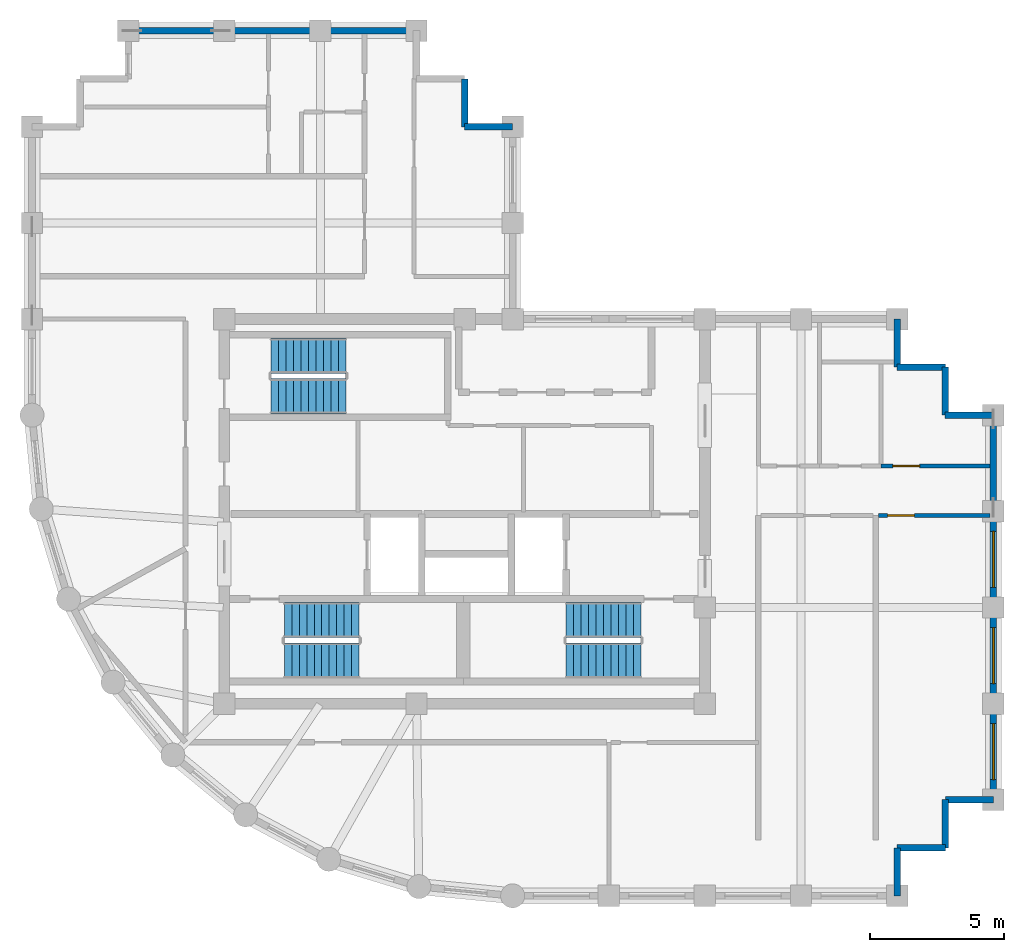
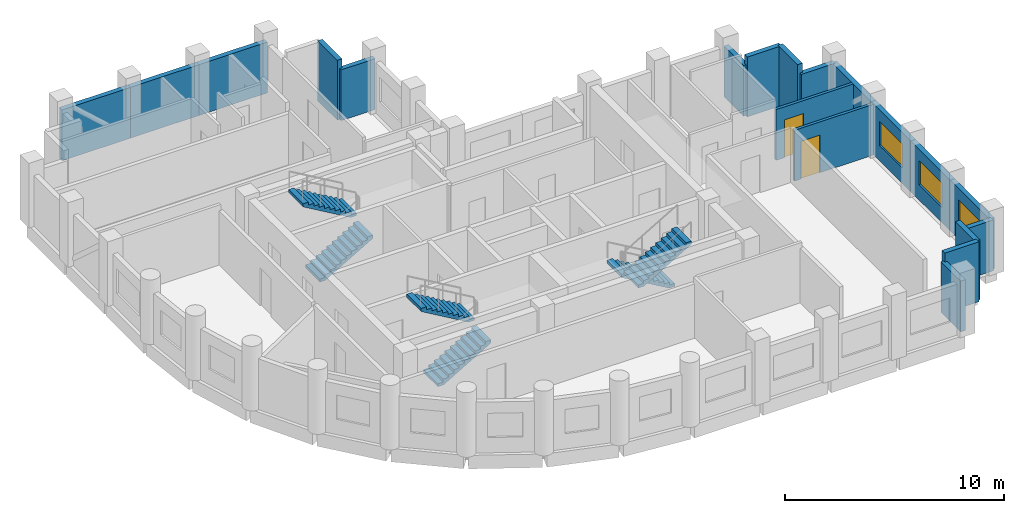
# One storey, part 5 of 6: 19 walls, 6 stair flights, 3 windows, 2 doors, 5 openings, 3 elements without a shape of their own.
"""IFC4 building model written with IfcOpenShell, lengths in metres."""

from ifc_helpers import new_model, si_unit, direction, frame, frame_2d, origin, place, context, subcontext, project, spatial, polyline, rectangle, outline, extrude, material, layer, layer_set, type_object, element, fill, aggregate, save


model = new_model("IFC4")

# Units and contexts
model_context = context("Model", 3, precision=1e-05, world=origin(), true_north=direction((0.0, 1.0)))
body_context = subcontext(model_context, "Body", "Model", "MODEL_VIEW")
ifc_project = project(units=[si_unit("LENGTHUNIT", "METRE"), si_unit("AREAUNIT", "SQUARE_METRE"), si_unit("VOLUMEUNIT", "CUBIC_METRE"), si_unit("PLANEANGLEUNIT", "RADIAN"), si_unit("MASSUNIT", "GRAM", prefix="KILO")], contexts=[model_context])

# Site, building, storey
site_placement = place(None, origin())
site = spatial("IfcSite", under=ifc_project, at=site_placement, CompositionType="ELEMENT")
building_placement = place(site_placement, origin())
building = spatial("IfcBuilding", under=site, at=building_placement, Name="Solnavia Interchange Tower", CompositionType="ELEMENT")
storey_placement = place(building_placement, frame((0.0, 0.0, 277.39990234375)))
storey = spatial("IfcBuildingStorey", under=building, at=storey_placement, Name="L70", CompositionType="ELEMENT", Elevation=277.39990234375)

# Walls
ifc_material_1 = material(Name="Concrete C40/50", Category="concrete")
ifc_layer_1 = layer(ifc_material_1, 0.25)
ifc_layer_set_1 = layer_set([ifc_layer_1], Name="Concrete C40/50")
wall_type_1 = type_object("IfcWallType", Name="Wall-ExtSpandrel-250", PredefinedType="STANDARD", material=ifc_layer_set_1)
wall_1_placement = place(storey_placement, frame((39.60009765625, 5.39990234375, 0.0), z_axis=(0.0, 0.0, 1.0), x_axis=(0.0, -1.0, 0.0)))
element("IfcWall", 1, at=wall_1_placement, inside=storey, type_object=wall_type_1, Name="EXW-L70-05 Exterior precast spandrel wall", PredefinedType="STANDARD", context=body_context, shape_type="SweptSolid", body=[
    extrude(rectangle(XDim=1.7998046875, YDim=0.25, at=frame_2d((0.89990234375, 0.0))), origin(), (0.0, 0.0, 1.0), 2.830078125),
])
wall_2_placement = place(storey_placement, frame((41.39990234375, 5.39990234375, 0.0), z_axis=(0.0, 0.0, 1.0), x_axis=(-1.0, 0.0, 0.0)))
element("IfcWall", 2, at=wall_2_placement, inside=storey, type_object=wall_type_1, Name="EXW-L70-06 Exterior precast spandrel wall", PredefinedType="STANDARD", context=body_context, shape_type="SweptSolid", body=[
    extrude(rectangle(XDim=1.7998046875, YDim=0.25, at=frame_2d((0.89990234375, 0.0))), origin(), (0.0, 0.0, 1.0), 3.335205078125),
])
wall_3_placement = place(storey_placement, frame((41.39990234375, 7.199951171875, 0.0), z_axis=(0.0, 0.0, 1.0), x_axis=(0.0, -1.0, 0.0)))
element("IfcWall", 3, at=wall_3_placement, inside=storey, type_object=wall_type_1, Name="EXW-L70-07 Exterior precast spandrel wall", PredefinedType="STANDARD", context=body_context, shape_type="SweptSolid", body=[
    extrude(rectangle(XDim=1.800048828125, YDim=0.25, at=frame_2d((0.89990234375, 0.0))), origin(), (0.0, 0.0, 1.0), 3.335205078125),
])
wall_4_placement = place(storey_placement, frame((43.199951171875, 7.199951171875, 0.0), z_axis=(0.0, 0.0, 1.0), x_axis=(-1.0, 0.0, 0.0)))
element("IfcWall", 4, at=wall_4_placement, inside=storey, type_object=wall_type_1, Name="EXW-L70-08 Exterior precast spandrel wall", PredefinedType="STANDARD", context=body_context, shape_type="SweptSolid", body=[
    extrude(rectangle(XDim=1.800048828125, YDim=0.25, at=frame_2d((0.89990234375, 0.0))), origin(), (0.0, 0.0, 1.0), 2.830078125),
])

# Wall, opening, window
wall_5_placement = place(storey_placement, frame((43.199951171875, 10.800048828125, 0.0), z_axis=(0.0, 0.0, 1.0), x_axis=(0.0, -1.0, 0.0)))
wall_5 = element("IfcWall", 5, at=wall_5_placement, inside=storey, type_object=wall_type_1, Name="EXW-L70-09 Exterior precast spandrel wall", PredefinedType="STANDARD", context=body_context, shape_type="SweptSolid", body=[
    extrude(rectangle(XDim=3.60009765625, YDim=0.25, at=frame_2d((1.800048828125, 0.0))), origin(), (0.0, 0.0, 1.0), 2.830078125),
])
opening_1_placement = place(wall_5_placement, frame((0.75, 0.0, 0.85009765625)))
opening_1 = element("IfcOpeningElement", 6, at=opening_1_placement, cuts=wall_5, Name="Opening WIN-01", PredefinedType="OPENING", context=body_context, shape_type="SweptSolid", body=[
    extrude(rectangle(XDim=2.10009765625, YDim=1.35009765625, at=frame_2d((1.050048828125, 0.675048828125))), frame((0.0, 0.135009765625, 0.0), z_axis=(0.0, -1.0, 0.0), x_axis=(1.0, 0.0, 0.0)), (0.0, 0.0, 1.0), 0.27001953125),
])
ifc_material_2 = material(Name="Thermal-Break Aluminium & Low-E Glass", Category="aluminium")
window_type = type_object("IfcWindowType", Name="Window-Ribbon-2100x1350", PartitioningType="SINGLE_PANEL", PredefinedType="WINDOW", material=ifc_material_2)
window_1_placement = place(opening_1_placement, origin())
window_1 = element("IfcWindow", 7, at=window_1_placement, inside=storey, type_object=window_type, Name="WIN-L70-09 Facade ribbon window", OverallHeight=1.35009765625, OverallWidth=2.10009765625, PartitioningType="SINGLE_PANEL", PredefinedType="WINDOW", context=body_context, shape_type="SweptSolid", body=[
    extrude(rectangle(XDim=2.10009765625, YDim=1.35009765625, at=frame_2d((1.050048828125, 0.675048828125))), frame((0.0, 0.030029296875, 0.0), z_axis=(0.0, -1.0, 0.0), x_axis=(1.0, 0.0, 0.0)), (0.0, 0.0, 1.0), 0.06005859375),
])
fill(opening_1, window_1)

wall_6_placement = place(storey_placement, frame((43.199951171875, 14.39990234375, 0.0), z_axis=(0.0, 0.0, 1.0), x_axis=(0.0, -1.0, 0.0)))
wall_6 = element("IfcWall", 8, at=wall_6_placement, inside=storey, type_object=wall_type_1, Name="EXW-L70-10 Exterior precast spandrel wall", PredefinedType="STANDARD", context=body_context, shape_type="SweptSolid", body=[
    extrude(rectangle(XDim=3.599853515625, YDim=0.25, at=frame_2d((1.7998046875, 0.0))), origin(), (0.0, 0.0, 1.0), 2.830078125),
])
opening_2_placement = place(wall_6_placement, frame((0.75, 0.0, 0.85009765625)))
opening_2 = element("IfcOpeningElement", 9, at=opening_2_placement, cuts=wall_6, Name="Opening WIN-01", PredefinedType="OPENING", context=body_context, shape_type="SweptSolid", body=[
    extrude(rectangle(XDim=2.10009765625, YDim=1.35009765625, at=frame_2d((1.050048828125, 0.675048828125))), frame((0.0, 0.135009765625, 0.0), z_axis=(0.0, -1.0, 0.0), x_axis=(1.0, 0.0, 0.0)), (0.0, 0.0, 1.0), 0.27001953125),
])
window_2_placement = place(opening_2_placement, origin())
window_2 = element("IfcWindow", 10, at=window_2_placement, inside=storey, type_object=window_type, Name="WIN-L70-10 Facade ribbon window", OverallHeight=1.35009765625, OverallWidth=2.10009765625, PartitioningType="SINGLE_PANEL", PredefinedType="WINDOW", context=body_context, shape_type="SweptSolid", body=[
    extrude(rectangle(XDim=2.10009765625, YDim=1.35009765625, at=frame_2d((1.050048828125, 0.675048828125))), frame((0.0, 0.030029296875, 0.0), z_axis=(0.0, -1.0, 0.0), x_axis=(1.0, 0.0, 0.0)), (0.0, 0.0, 1.0), 0.06005859375),
])
fill(opening_2, window_2)

wall_7_placement = place(storey_placement, frame((43.199951171875, 18.0, 0.0), z_axis=(0.0, 0.0, 1.0), x_axis=(0.0, -1.0, 0.0)))
wall_7 = element("IfcWall", 11, at=wall_7_placement, inside=storey, type_object=wall_type_1, Name="EXW-L70-11 Exterior precast spandrel wall", PredefinedType="STANDARD", context=body_context, shape_type="SweptSolid", body=[
    extrude(rectangle(XDim=3.60009765625, YDim=0.25, at=frame_2d((1.800048828125, 0.0))), origin(), (0.0, 0.0, 1.0), 2.830078125),
])
opening_3_placement = place(wall_7_placement, frame((0.75, 0.0, 0.85009765625)))
opening_3 = element("IfcOpeningElement", 12, at=opening_3_placement, cuts=wall_7, Name="Opening WIN-01", PredefinedType="OPENING", context=body_context, shape_type="SweptSolid", body=[
    extrude(rectangle(XDim=2.10009765625, YDim=1.35009765625, at=frame_2d((1.050048828125, 0.675048828125))), frame((0.0, 0.135009765625, 0.0), z_axis=(0.0, -1.0, 0.0), x_axis=(1.0, 0.0, 0.0)), (0.0, 0.0, 1.0), 0.27001953125),
])
window_3_placement = place(opening_3_placement, origin())
window_3 = element("IfcWindow", 13, at=window_3_placement, inside=storey, type_object=window_type, Name="WIN-L70-11 Facade ribbon window", OverallHeight=1.35009765625, OverallWidth=2.10009765625, PartitioningType="SINGLE_PANEL", PredefinedType="WINDOW", context=body_context, shape_type="SweptSolid", body=[
    extrude(rectangle(XDim=2.10009765625, YDim=1.35009765625, at=frame_2d((1.050048828125, 0.675048828125))), frame((0.0, 0.030029296875, 0.0), z_axis=(0.0, -1.0, 0.0), x_axis=(1.0, 0.0, 0.0)), (0.0, 0.0, 1.0), 0.06005859375),
])
fill(opening_3, window_3)

# Walls
wall_8_placement = place(storey_placement, frame((43.199951171875, 21.60009765625, 0.0), z_axis=(0.0, 0.0, 1.0), x_axis=(0.0, -1.0, 0.0)))
element("IfcWall", 14, at=wall_8_placement, inside=storey, type_object=wall_type_1, Name="EXW-L70-12 Exterior precast spandrel wall", PredefinedType="STANDARD", context=body_context, shape_type="SweptSolid", body=[
    extrude(rectangle(XDim=3.60009765625, YDim=0.25, at=frame_2d((1.800048828125, 0.0))), origin(), (0.0, 0.0, 1.0), 2.830078125),
])
wall_9_placement = place(storey_placement, frame((41.39990234375, 21.60009765625, 0.0), z_axis=(0.0, 0.0, 1.0), x_axis=(1.0, 0.0, 0.0)))
element("IfcWall", 15, at=wall_9_placement, inside=storey, type_object=wall_type_1, Name="EXW-L70-13 Exterior precast spandrel wall", PredefinedType="STANDARD", context=body_context, shape_type="SweptSolid", body=[
    extrude(rectangle(XDim=1.800048828125, YDim=0.25, at=frame_2d((0.89990234375, 0.0))), origin(), (0.0, 0.0, 1.0), 2.830078125),
])
for number, where, z_axis, x_axis, name in (
    (16, (41.39990234375, 23.39990234375, 0.0), (0.0, 0.0, 1.0), (0.0, -1.0, 0.0), "EXW-L70-14 Exterior precast spandrel wall"),
    (17, (39.60009765625, 23.39990234375, 0.0), (0.0, 0.0, 1.0), (1.0, 0.0, 0.0), "EXW-L70-15 Exterior precast spandrel wall"),
):
    element("IfcWall", number, at=place(storey_placement, frame(where, z_axis=z_axis, x_axis=x_axis)), inside=storey, type_object=wall_type_1, Name=name, PredefinedType="STANDARD", context=body_context, shape_type="SweptSolid", body=[
        extrude(rectangle(XDim=1.7998046875, YDim=0.25, at=frame_2d((0.89990234375, 0.0))), origin(), (0.0, 0.0, 1.0), 3.335205078125),
    ])
for number, where, z_axis, x_axis, name in (
    (18, (39.60009765625, 25.199951171875, 0.0), (0.0, 0.0, 1.0), (0.0, -1.0, 0.0), "EXW-L70-16 Exterior precast spandrel wall"),
    (19, (23.39990234375, 32.39990234375, 0.0), (0.0, 0.0, 1.0), (1.0, 0.0, 0.0), "EXW-L70-23 Exterior precast spandrel wall"),
):
    element("IfcWall", number, at=place(storey_placement, frame(where, z_axis=z_axis, x_axis=x_axis)), inside=storey, type_object=wall_type_1, Name=name, PredefinedType="STANDARD", context=body_context, shape_type="SweptSolid", body=[
        extrude(rectangle(XDim=1.800048828125, YDim=0.25, at=frame_2d((0.89990234375, 0.0))), origin(), (0.0, 0.0, 1.0), 2.830078125),
    ])
wall_10_placement = place(storey_placement, frame((23.39990234375, 32.39990234375, 0.0), z_axis=(0.0, 0.0, 1.0), x_axis=(0.0, 1.0, 0.0)))
element("IfcWall", 20, at=wall_10_placement, inside=storey, type_object=wall_type_1, Name="EXW-L70-24 Exterior precast spandrel wall", PredefinedType="STANDARD", context=body_context, shape_type="SweptSolid", body=[
    extrude(rectangle(XDim=1.800048828125, YDim=0.25, at=frame_2d((0.89990234375, 0.0))), origin(), (0.0, 0.0, 1.0), 3.335205078125),
])
for number, where, z_axis, x_axis, name in (
    (21, (18.0, 36.0, 0.0), (0.0, 0.0, 1.0), (1.0, 0.0, 0.0), "EXW-L70-27 Exterior precast spandrel wall"),
    (22, (14.39990234375, 36.0, 0.0), (0.0, 0.0, 1.0), (1.0, 0.0, 0.0), "EXW-L70-28 Exterior precast spandrel wall"),
):
    element("IfcWall", number, at=place(storey_placement, frame(where, z_axis=z_axis, x_axis=x_axis)), inside=storey, type_object=wall_type_1, Name=name, PredefinedType="STANDARD", context=body_context, shape_type="SweptSolid", body=[
        extrude(rectangle(XDim=3.60009765625, YDim=0.25, at=frame_2d((1.800048828125, 0.0))), origin(), (0.0, 0.0, 1.0), 2.830078125),
    ])
wall_11_placement = place(storey_placement, frame((10.800048828125, 36.0, 0.0), z_axis=(0.0, 0.0, 1.0), x_axis=(1.0, 0.0, 0.0)))
element("IfcWall", 23, at=wall_11_placement, inside=storey, type_object=wall_type_1, Name="EXW-L70-29 Exterior precast spandrel wall", PredefinedType="STANDARD", context=body_context, shape_type="SweptSolid", body=[
    extrude(rectangle(XDim=3.599853515625, YDim=0.25, at=frame_2d((1.7998046875, 0.0))), origin(), (0.0, 0.0, 1.0), 2.830078125),
])

# Wall, opening, door
ifc_material_3 = material(Name="Gypsum Plasterboard & Steel Stud", Category="steel")
ifc_layer_2 = layer(ifc_material_3, 0.14990234375)
ifc_layer_set_2 = layer_set([ifc_layer_2], Name="Gypsum Plasterboard & Steel Stud")
wall_type_2 = type_object("IfcWallType", Name="Wall-Partition-150", PredefinedType="PARTITIONING", material=ifc_layer_set_2)
wall_12_placement = place(storey_placement, frame((38.904052734375, 17.85009765625, 0.0), z_axis=(0.0, 0.0, 1.0), x_axis=(1.0, 0.0, 0.0)))
wall_12 = element("IfcWall", 24, at=wall_12_placement, inside=storey, type_object=wall_type_2, Name="PTW-L70-18 Interior partition wall", PredefinedType="PARTITIONING", context=body_context, shape_type="SweptSolid", body=[
    extrude(rectangle(XDim=4.1669921875, YDim=0.14990234375, at=frame_2d((2.08349609375, 0.0))), origin(), (0.0, 0.0, 1.0), 2.830078125),
])
opening_4_placement = place(wall_12_placement, frame((0.3349609375, 0.0, 0.0)))
opening_4 = element("IfcOpeningElement", 25, at=opening_4_placement, cuts=wall_12, Name="Opening DR-07", PredefinedType="OPENING", context=body_context, shape_type="SweptSolid", body=[
    extrude(rectangle(XDim=1.0, YDim=2.10009765625, at=frame_2d((0.5, 1.050048828125))), frame((0.0, 0.0849609375, 0.0), z_axis=(0.0, -1.0, 0.0), x_axis=(1.0, 0.0, 0.0)), (0.0, 0.0, 1.0), 0.169921875),
])
ifc_material_4 = material(Name="Timber & Acoustic Glazed Office Door", Category="wood")
door_type = type_object("IfcDoorType", Name="Door-Office-1000x2100", OperationType="SINGLE_SWING_RIGHT", PredefinedType="DOOR", material=ifc_material_4)
door_1_placement = place(opening_4_placement, origin())
door_1 = element("IfcDoor", 26, at=door_1_placement, inside=storey, type_object=door_type, Name="DR-L70-08 Interior room door", OperationType="SINGLE_SWING_RIGHT", OverallHeight=2.10009765625, OverallWidth=1.0, PredefinedType="DOOR", context=body_context, shape_type="SweptSolid", body=[
    extrude(rectangle(XDim=1.0, YDim=2.10009765625, at=frame_2d((0.5, 1.050048828125))), frame((0.0, 0.02490234375, 0.0), z_axis=(0.0, -1.0, 0.0), x_axis=(1.0, 0.0, 0.0)), (0.0, 0.0, 1.0), 0.050048828125),
])
fill(opening_4, door_1)

wall_13_placement = place(storey_placement, frame((39.0, 19.699951171875, 0.0), z_axis=(0.0, 0.0, 1.0), x_axis=(1.0, 0.0, 0.0)))
wall_13 = element("IfcWall", 27, at=wall_13_placement, inside=storey, type_object=wall_type_2, Name="PTW-L70-19 Interior partition wall", PredefinedType="PARTITIONING", context=body_context, shape_type="SweptSolid", body=[
    extrude(rectangle(XDim=4.071044921875, YDim=0.14990234375, at=frame_2d((2.03564453125, 0.0))), origin(), (0.0, 0.0, 1.0), 2.830078125),
])
opening_5_placement = place(wall_13_placement, frame((0.43798828125, 0.0, 0.0)))
opening_5 = element("IfcOpeningElement", 28, at=opening_5_placement, cuts=wall_13, Name="Opening DR-07", PredefinedType="OPENING", context=body_context, shape_type="SweptSolid", body=[
    extrude(rectangle(XDim=1.0, YDim=2.10009765625, at=frame_2d((0.5, 1.050048828125))), frame((0.0, 0.0849609375, 0.0), z_axis=(0.0, -1.0, 0.0), x_axis=(1.0, 0.0, 0.0)), (0.0, 0.0, 1.0), 0.169921875),
])
door_2_placement = place(opening_5_placement, origin())
door_2 = element("IfcDoor", 29, at=door_2_placement, inside=storey, type_object=door_type, Name="DR-L70-09 Interior room door", OperationType="SINGLE_SWING_RIGHT", OverallHeight=2.10009765625, OverallWidth=1.0, PredefinedType="DOOR", context=body_context, shape_type="SweptSolid", body=[
    extrude(rectangle(XDim=1.0, YDim=2.10009765625, at=frame_2d((0.5, 1.050048828125))), frame((0.0, 0.02490234375, 0.0), z_axis=(0.0, -1.0, 0.0), x_axis=(1.0, 0.0, 0.0)), (0.0, 0.0, 1.0), 0.050048828125),
])
fill(opening_5, door_2)

# Stair, stair flights
stair_type = type_object("IfcStairType", Name="Stair-Dogleg-RC", PredefinedType="HALF_TURN_STAIR", material=ifc_material_1)
stair_1_placement = place(storey_placement, origin())
stair_1 = element("IfcStair", 30, at=stair_1_placement, inside=storey, type_object=stair_type, Name="L70 Core exit stair 1", PredefinedType="HALF_TURN_STAIR")
stair_flight_type = type_object("IfcStairFlightType", Name="StairFlight-RC-150", PredefinedType="STRAIGHT", material=ifc_material_1)
stair_flight_1_placement = place(storey_placement, frame((16.64990234375, 12.409912109375, 0.0), z_axis=(0.0, 0.0, 1.0), x_axis=(1.0, 0.0, 0.0)))
stair_flight_1 = element("IfcStairFlight", 31, at=stair_flight_1_placement, type_object=stair_flight_type, Name="ST-1 flight 1", NumberOfRisers=11, NumberOfTreads=10, PredefinedType="STRAIGHT", RiserHeight=0.163636364, TreadLength=0.28, context=body_context, shape_type="SweptSolid", body=[
    extrude(outline(polyline([(0.0, 0.0), (0.0, 0.16357421875), (0.280029296875, 0.16357421875), (0.280029296875, 0.327392578125), (0.56005859375, 0.327392578125), (0.56005859375, 0.490966796875), (0.840087890625, 0.490966796875), (0.840087890625, 0.654541015625), (1.1201171875, 0.654541015625), (1.1201171875, 0.818115234375), (1.39990234375, 0.818115234375), (1.39990234375, 0.98193359375), (1.679931640625, 0.98193359375), (1.679931640625, 1.1455078125), (1.9599609375, 1.1455078125), (1.9599609375, 1.30908203125), (2.239990234375, 1.30908203125), (2.239990234375, 1.47265625), (2.52001953125, 1.47265625), (2.52001953125, 1.636474609375), (2.800048828125, 1.636474609375), (2.800048828125, 1.800048828125), (2.800048828125, 1.462646484375), (0.297119140625, 0.0), (0.0, 0.0)])), frame((0.0, 0.66015625, 0.0), z_axis=(0.0, -1.0, 0.0), x_axis=(1.0, 0.0, 0.0)), (0.0, 0.0, 1.0), 1.320068359375),
])
stair_flight_2_placement = place(storey_placement, frame((19.449951171875, 13.929931640625, 1.800048828125), z_axis=(0.0, 0.0, 1.0), x_axis=(-1.0, 0.0, 0.0)))
stair_flight_2 = element("IfcStairFlight", 32, at=stair_flight_2_placement, type_object=stair_flight_type, Name="ST-1 flight 2", NumberOfRisers=11, NumberOfTreads=10, PredefinedType="STRAIGHT", RiserHeight=0.163636364, TreadLength=0.28, context=body_context, shape_type="SweptSolid", body=[
    extrude(outline(polyline([(0.0, 0.0), (0.0, 0.16357421875), (0.280029296875, 0.16357421875), (0.280029296875, 0.327392578125), (0.56005859375, 0.327392578125), (0.56005859375, 0.490966796875), (0.840087890625, 0.490966796875), (0.840087890625, 0.654541015625), (1.1201171875, 0.654541015625), (1.1201171875, 0.818115234375), (1.39990234375, 0.818115234375), (1.39990234375, 0.98193359375), (1.679931640625, 0.98193359375), (1.679931640625, 1.1455078125), (1.9599609375, 1.1455078125), (1.9599609375, 1.30908203125), (2.239990234375, 1.30908203125), (2.239990234375, 1.47265625), (2.52001953125, 1.47265625), (2.52001953125, 1.636474609375), (2.800048828125, 1.636474609375), (2.800048828125, 1.800048828125), (2.800048828125, 1.462646484375), (0.297119140625, 0.0), (0.0, 0.0)])), frame((0.0, 0.66015625, 0.0), z_axis=(0.0, -1.0, 0.0), x_axis=(1.0, 0.0, 0.0)), (0.0, 0.0, 1.0), 1.320068359375),
])
aggregate(stair_1, [stair_flight_1, stair_flight_2])

stair_2_placement = place(storey_placement, origin())
stair_2 = element("IfcStair", 33, at=stair_2_placement, inside=storey, type_object=stair_type, Name="L70 Core exit stair 2", PredefinedType="HALF_TURN_STAIR")
stair_flight_3_placement = place(storey_placement, frame((30.0, 13.929931640625, 0.0), z_axis=(0.0, 0.0, 1.0), x_axis=(-1.0, 0.0, 0.0)))
stair_flight_3 = element("IfcStairFlight", 34, at=stair_flight_3_placement, type_object=stair_flight_type, Name="ST-2 flight 1", NumberOfRisers=11, NumberOfTreads=10, PredefinedType="STRAIGHT", RiserHeight=0.163636364, TreadLength=0.28, context=body_context, shape_type="SweptSolid", body=[
    extrude(outline(polyline([(0.0, 0.0), (0.0, 0.16357421875), (0.280029296875, 0.16357421875), (0.280029296875, 0.327392578125), (0.56005859375, 0.327392578125), (0.56005859375, 0.490966796875), (0.840087890625, 0.490966796875), (0.840087890625, 0.654541015625), (1.1201171875, 0.654541015625), (1.1201171875, 0.818115234375), (1.39990234375, 0.818115234375), (1.39990234375, 0.98193359375), (1.679931640625, 0.98193359375), (1.679931640625, 1.1455078125), (1.9599609375, 1.1455078125), (1.9599609375, 1.30908203125), (2.239990234375, 1.30908203125), (2.239990234375, 1.47265625), (2.52001953125, 1.47265625), (2.52001953125, 1.636474609375), (2.800048828125, 1.636474609375), (2.800048828125, 1.800048828125), (2.800048828125, 1.462646484375), (0.297119140625, 0.0), (0.0, 0.0)])), frame((0.0, 0.66015625, 0.0), z_axis=(0.0, -1.0, 0.0), x_axis=(1.0, 0.0, 0.0)), (0.0, 0.0, 1.0), 1.320068359375),
])
stair_flight_4_placement = place(storey_placement, frame((27.199951171875, 12.409912109375, 1.800048828125), z_axis=(0.0, 0.0, 1.0), x_axis=(1.0, 0.0, 0.0)))
stair_flight_4 = element("IfcStairFlight", 35, at=stair_flight_4_placement, type_object=stair_flight_type, Name="ST-2 flight 2", NumberOfRisers=11, NumberOfTreads=10, PredefinedType="STRAIGHT", RiserHeight=0.163636364, TreadLength=0.28, context=body_context, shape_type="SweptSolid", body=[
    extrude(outline(polyline([(0.0, 0.0), (0.0, 0.16357421875), (0.280029296875, 0.16357421875), (0.280029296875, 0.327392578125), (0.56005859375, 0.327392578125), (0.56005859375, 0.490966796875), (0.840087890625, 0.490966796875), (0.840087890625, 0.654541015625), (1.1201171875, 0.654541015625), (1.1201171875, 0.818115234375), (1.39990234375, 0.818115234375), (1.39990234375, 0.98193359375), (1.679931640625, 0.98193359375), (1.679931640625, 1.1455078125), (1.9599609375, 1.1455078125), (1.9599609375, 1.30908203125), (2.239990234375, 1.30908203125), (2.239990234375, 1.47265625), (2.52001953125, 1.47265625), (2.52001953125, 1.636474609375), (2.800048828125, 1.636474609375), (2.800048828125, 1.800048828125), (2.800048828125, 1.462646484375), (0.297119140625, 0.0), (0.0, 0.0)])), frame((0.0, 0.66015625, 0.0), z_axis=(0.0, -1.0, 0.0), x_axis=(1.0, 0.0, 0.0)), (0.0, 0.0, 1.0), 1.320068359375),
])
aggregate(stair_2, [stair_flight_3, stair_flight_4])

stair_3_placement = place(storey_placement, origin())
stair_3 = element("IfcStair", 36, at=stair_3_placement, inside=storey, type_object=stair_type, Name="L70 Core exit stair 3", PredefinedType="HALF_TURN_STAIR")
stair_flight_5_placement = place(storey_placement, frame((16.14990234375, 22.31005859375, 0.0), z_axis=(0.0, 0.0, 1.0), x_axis=(1.0, 0.0, 0.0)))
stair_flight_5 = element("IfcStairFlight", 37, at=stair_flight_5_placement, type_object=stair_flight_type, Name="ST-3 flight 1", NumberOfRisers=11, NumberOfTreads=10, PredefinedType="STRAIGHT", RiserHeight=0.163636364, TreadLength=0.28, context=body_context, shape_type="SweptSolid", body=[
    extrude(outline(polyline([(0.0, 0.0), (0.0, 0.16357421875), (0.280029296875, 0.16357421875), (0.280029296875, 0.327392578125), (0.56005859375, 0.327392578125), (0.56005859375, 0.490966796875), (0.840087890625, 0.490966796875), (0.840087890625, 0.654541015625), (1.1201171875, 0.654541015625), (1.1201171875, 0.818115234375), (1.39990234375, 0.818115234375), (1.39990234375, 0.98193359375), (1.679931640625, 0.98193359375), (1.679931640625, 1.1455078125), (1.9599609375, 1.1455078125), (1.9599609375, 1.30908203125), (2.239990234375, 1.30908203125), (2.239990234375, 1.47265625), (2.52001953125, 1.47265625), (2.52001953125, 1.636474609375), (2.800048828125, 1.636474609375), (2.800048828125, 1.800048828125), (2.800048828125, 1.462646484375), (0.297119140625, 0.0), (0.0, 0.0)])), frame((0.0, 0.66015625, 0.0), z_axis=(0.0, -1.0, 0.0), x_axis=(1.0, 0.0, 0.0)), (0.0, 0.0, 1.0), 1.320068359375),
])
stair_flight_6_placement = place(storey_placement, frame((18.949951171875, 23.830078125, 1.800048828125), z_axis=(0.0, 0.0, 1.0), x_axis=(-1.0, 0.0, 0.0)))
stair_flight_6 = element("IfcStairFlight", 38, at=stair_flight_6_placement, type_object=stair_flight_type, Name="ST-3 flight 2", NumberOfRisers=11, NumberOfTreads=10, PredefinedType="STRAIGHT", RiserHeight=0.163636364, TreadLength=0.28, context=body_context, shape_type="SweptSolid", body=[
    extrude(outline(polyline([(0.0, 0.0), (0.0, 0.16357421875), (0.280029296875, 0.16357421875), (0.280029296875, 0.327392578125), (0.56005859375, 0.327392578125), (0.56005859375, 0.490966796875), (0.840087890625, 0.490966796875), (0.840087890625, 0.654541015625), (1.1201171875, 0.654541015625), (1.1201171875, 0.818115234375), (1.39990234375, 0.818115234375), (1.39990234375, 0.98193359375), (1.679931640625, 0.98193359375), (1.679931640625, 1.1455078125), (1.9599609375, 1.1455078125), (1.9599609375, 1.30908203125), (2.239990234375, 1.30908203125), (2.239990234375, 1.47265625), (2.52001953125, 1.47265625), (2.52001953125, 1.636474609375), (2.800048828125, 1.636474609375), (2.800048828125, 1.800048828125), (2.800048828125, 1.462646484375), (0.297119140625, 0.0), (0.0, 0.0)])), frame((0.0, 0.66015625, 0.0), z_axis=(0.0, -1.0, 0.0), x_axis=(1.0, 0.0, 0.0)), (0.0, 0.0, 1.0), 1.320068359375),
])
aggregate(stair_3, [stair_flight_5, stair_flight_6])

save(model, "model.ifc")
